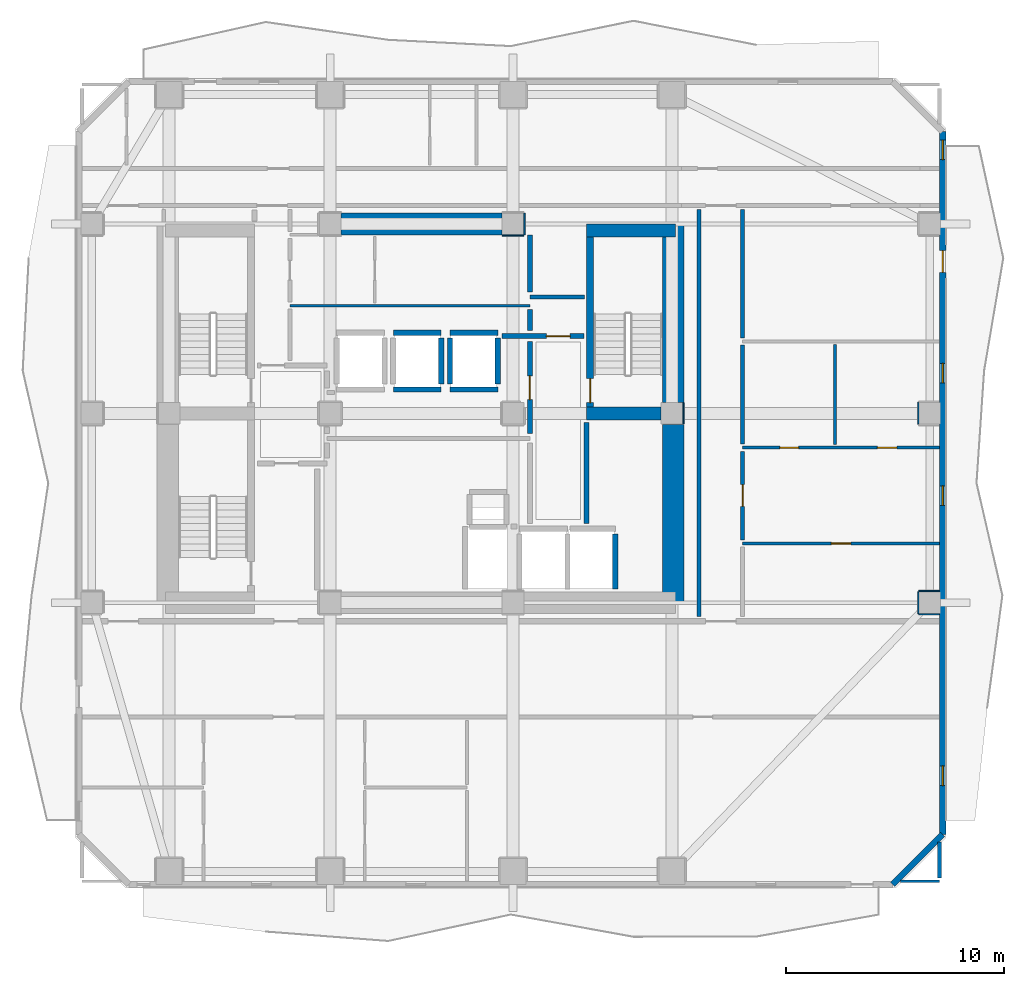
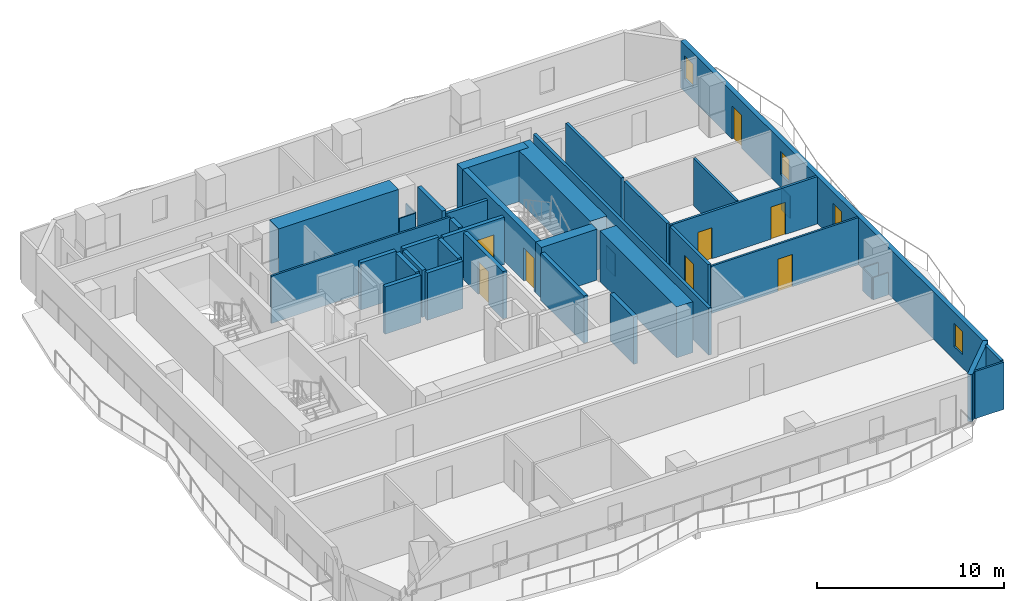
# One storey, part 4 of 9: 39 walls, 8 doors, 4 windows, 12 openings.
"""IFC4 building model written with IfcOpenShell, lengths in metres."""

import ifcopenshell
import ifcopenshell.guid

model = None  # the IFC model being written
_history = None  # IfcOwnerHistory: only IFC2X3 demands one
_inside = {}  # id of a spatial element -> (the spatial element, [elements in it])
_under = {}  # id of a project, library or spatial element -> (it, [spatial elements below it])
_declared = {}  # id of a project -> (the project, [libraries it declares])
_typed = {}  # id of a type object -> (the type object, [elements of that type])
_made_of = {}  # id of a material, layer set ... -> (it, [elements and type objects made of it])


def new_model(schema):
    """Start an empty IFC model of exactly this schema.

    Asked for "IFC4X3", IfcOpenShell would pick the latest addendum, in which some entities
    have other attributes; the version numbers below select the first issue.
    IFC2X3 requires an IfcOwnerHistory on every rooted entity: one is made here for all.
    """
    global model, _history
    if schema == "IFC4X3":
        model = ifcopenshell.file(schema_version=(4, 3, 0, 0))
    else:
        model = ifcopenshell.file(schema=schema)
    _inside.clear()
    _under.clear()
    _declared.clear()
    _typed.clear()
    _made_of.clear()
    _history = None
    if model.schema == "IFC2X3":
        org = make("IfcOrganization", Name="unknown")
        user = make(
            "IfcPersonAndOrganization",
            ThePerson=make("IfcPerson", FamilyName="unknown"),
            TheOrganization=org,
        )
        app = make(
            "IfcApplication",
            ApplicationDeveloper=org,
            Version="unknown",
            ApplicationFullName="unknown",
            ApplicationIdentifier="unknown",
        )
        _history = make(
            "IfcOwnerHistory",
            OwningUser=user,
            OwningApplication=app,
            ChangeAction="ADDED",
            CreationDate=0,
        )
    return model


def make(cls, **values):
    """One entity of the class cls with the attributes given. An attribute that is None is left unset."""
    return model.create_entity(
        cls, **{name: value for name, value in values.items() if value is not None}
    )


def rooted(cls, **values):
    """An entity with a GlobalId (a new one), such as an element, a storey or a relation."""
    return make(cls, GlobalId=ifcopenshell.guid.new(), OwnerHistory=_history, **values)


def si_unit(unit_type, name, prefix=None):
    """IfcSIUnit, for example si_unit("LENGTHUNIT", "METRE", prefix="MILLI")."""
    return make("IfcSIUnit", UnitType=unit_type, Prefix=prefix, Name=name)


def assignment(units):
    """IfcUnitAssignment: the units of a project."""
    return None if units is None else make("IfcUnitAssignment", Units=units)


def point(xyz):
    """IfcCartesianPoint."""
    return None if xyz is None else make("IfcCartesianPoint", Coordinates=xyz)


def direction(xyz):
    """IfcDirection."""
    return None if xyz is None else make("IfcDirection", DirectionRatios=xyz)


def frame(location, z_axis=None, x_axis=None):
    """IfcAxis2Placement3D, a coordinate frame: its origin and axes. An axis left out is left unset."""
    return make(
        "IfcAxis2Placement3D",
        Location=point(location),
        Axis=direction(z_axis),
        RefDirection=direction(x_axis),
    )


def frame_2d(location, x_axis=None):
    """IfcAxis2Placement2D, a coordinate frame in the plane: its origin and x axis."""
    return make(
        "IfcAxis2Placement2D", Location=point(location), RefDirection=direction(x_axis)
    )


def origin():
    """The frame at (0, 0, 0) with its axes left unset."""
    return frame((0.0, 0.0, 0.0))


def place(relative_to, where):
    """IfcLocalPlacement: puts the frame where relative to a parent placement (None: the world)."""
    return make(
        "IfcLocalPlacement", PlacementRelTo=relative_to, RelativePlacement=where
    )


def context(
    kind, dimensions, precision=None, world=None, true_north=None, identifier=None
):
    """IfcGeometricRepresentationContext, for example the 3D "Model" context."""
    return make(
        "IfcGeometricRepresentationContext",
        ContextIdentifier=identifier,
        ContextType=kind,
        CoordinateSpaceDimension=dimensions,
        Precision=precision,
        WorldCoordinateSystem=world,
        TrueNorth=true_north,
    )


def subcontext(parent, identifier, kind, view, scale=None):
    """IfcGeometricRepresentationSubContext, for example "Body" below "Model"."""
    return make(
        "IfcGeometricRepresentationSubContext",
        ContextIdentifier=identifier,
        ContextType=kind,
        ParentContext=parent,
        TargetScale=scale,
        TargetView=view,
    )


def project(units=None, contexts=None):
    """IfcProject with its units and contexts."""
    return rooted(
        "IfcProject",
        Name="project",
        RepresentationContexts=contexts,
        UnitsInContext=assignment(units),
    )


def spatial(cls, under=None, at=None, **own):
    """A site, building, storey or space (cls), placed at a placement, below another one or the project."""
    s = rooted(cls, ObjectPlacement=at, **own)
    if under is not None:
        _under.setdefault(under.id(), (under, []))[1].append(s)
    return s


def profile(cls, at=None, kind="AREA", **sizes):
    """A parametric profile (cls). Its sizes go by their IFC names, for example OverallWidth=200.0."""
    return make(cls, ProfileType=kind, Position=at, **sizes)


def rectangle(**sizes):
    """IfcRectangleProfileDef."""
    return profile("IfcRectangleProfileDef", **sizes)


def extrude(swept, where, along, depth):
    """IfcExtrudedAreaSolid: the profile swept, set in the frame where, extruded along a direction by depth."""
    return make(
        "IfcExtrudedAreaSolid",
        SweptArea=swept,
        Position=where,
        ExtrudedDirection=direction(along),
        Depth=depth,
    )


def shape(context_of_items, identifier, shape_type, items):
    """IfcShapeRepresentation: the items that make up one representation, for example the "Body"."""
    return make(
        "IfcShapeRepresentation",
        ContextOfItems=context_of_items,
        RepresentationIdentifier=identifier,
        RepresentationType=shape_type,
        Items=items,
    )


def material(Name=None, Category=None):
    """IfcMaterial."""
    return make("IfcMaterial", Name=Name, Category=Category)


def layer(
    of_material, thickness, ventilated=None, Name=None, Category=None, Priority=None
):
    """IfcMaterialLayer: one layer of a wall or slab, of a material (None: an air gap)."""
    return make(
        "IfcMaterialLayer",
        Material=of_material,
        LayerThickness=thickness,
        IsVentilated=ventilated,
        Name=Name,
        Category=Category,
        Priority=Priority,
    )


def layer_set(layers, Name=None):
    """IfcMaterialLayerSet."""
    return make("IfcMaterialLayerSet", MaterialLayers=layers, LayerSetName=Name)


def made_of(thing, what):
    """Note that an element or type object is made of a material, layer set ...; save() writes the relation."""
    if what is not None:
        _made_of.setdefault(what.id(), (what, []))[1].append(thing)
    return thing


def type_object(cls, material=None, **own):
    """A type object (cls), such as IfcWallType, which elements share."""
    return made_of(rooted(cls, **own), material)


def element(
    cls,
    number,
    at=None,
    inside=None,
    cuts=None,
    type_object=None,
    material=None,
    context=None,
    identifier="Body",
    shape_type=None,
    held_by="IfcProductDefinitionShape",
    body=None,
    shapes=None,
    **own,
):
    """One element of the class cls, such as IfcWall. Its Tag is "e" and its number.

    at: its placement. inside: the storey or other place that contains it. cuts: it is an
    opening in that element (IfcRelVoidsElement). A single representation is given by context,
    identifier, shape_type and body (its items); several are given by shapes. held_by: the class
    of the entity that holds the representations. save() writes the other relations.
    """
    e = rooted(cls, Tag="e%d" % number, ObjectPlacement=at, **own)
    if body is not None:
        shapes = [shape(context, identifier, shape_type, body)]
    if shapes is not None:
        e.Representation = make(held_by, Representations=shapes)
    if inside is not None:
        _inside.setdefault(inside.id(), (inside, []))[1].append(e)
    if cuts is not None:
        rooted(
            "IfcRelVoidsElement", RelatingBuildingElement=cuts, RelatedOpeningElement=e
        )
    if type_object is not None:
        _typed.setdefault(type_object.id(), (type_object, []))[1].append(e)
    return made_of(e, material)


def fill(opening, filler):
    """IfcRelFillsElement: the door or window that sits in an opening."""
    return rooted(
        "IfcRelFillsElement",
        RelatingOpeningElement=opening,
        RelatedBuildingElement=filler,
    )


def aggregate(whole, parts):
    """IfcRelAggregates: a whole, such as a stair, and the parts it consists of."""
    return rooted("IfcRelAggregates", RelatingObject=whole, RelatedObjects=parts)


def save(model, path):
    """Write the relations noted so far, then the file.

    IfcRelAggregates (storeys below a building ...), IfcRelContainedInSpatialStructure (elements
    in a storey), IfcRelDefinesByType, IfcRelAssociatesMaterial and IfcRelDeclares: one each for
    every whole, place, type object, material and project.
    """
    for whole, parts in _under.values():
        aggregate(whole, parts)
    for where, things in _inside.values():
        rooted(
            "IfcRelContainedInSpatialStructure",
            RelatedElements=things,
            RelatingStructure=where,
        )
    for kind, things in _typed.values():
        rooted("IfcRelDefinesByType", RelatedObjects=things, RelatingType=kind)
    for what, things in _made_of.values():
        rooted("IfcRelAssociatesMaterial", RelatedObjects=things, RelatingMaterial=what)
    for by, libraries in _declared.values():
        rooted("IfcRelDeclares", RelatingContext=by, RelatedDefinitions=libraries)
    model.write(path)


model = new_model("IFC4")

# Units and contexts
model_context = context("Model", 3, precision=1e-05, world=origin(), true_north=direction((0.0, 1.0)))
body_context = subcontext(model_context, "Body", "Model", "MODEL_VIEW")
ifc_project = project(units=[si_unit("LENGTHUNIT", "METRE"), si_unit("AREAUNIT", "SQUARE_METRE"), si_unit("VOLUMEUNIT", "CUBIC_METRE"), si_unit("PLANEANGLEUNIT", "RADIAN"), si_unit("MASSUNIT", "GRAM", prefix="KILO")], contexts=[model_context])

# Site, building, storey
site_placement = place(None, origin())
site = spatial("IfcSite", under=ifc_project, at=site_placement, CompositionType="ELEMENT")
building_placement = place(site_placement, origin())
building = spatial("IfcBuilding", under=site, at=building_placement, Name="Solanera Arch Residences", CompositionType="ELEMENT")
storey_placement = place(building_placement, frame((0.0, 0.0, 139.280029296875)))
storey = spatial("IfcBuildingStorey", under=building, at=storey_placement, Name="L40", CompositionType="ELEMENT", Elevation=139.280029296875)

# Walls
ifc_material_1 = material(Name="Fire-Rated Gypsum Stud Partition", Category="gypsum")
ifc_layer_1 = layer(ifc_material_1, 0.06005859375)
ifc_layer_set_1 = layer_set([ifc_layer_1], Name="Fire-Rated Gypsum Stud Partition")
wall_type_1 = type_object("IfcWallType", Name="Column Acoustic Furring Wall 60", PredefinedType="PARTITIONING", material=ifc_layer_set_1)
for number, where, z_axis, x_axis, name in (
    (1, (28.699951171875, 38.867919921875, 0.0), (0.0, 0.0, 1.0), (1.0, 0.0, 0.0), "L40 Column Furring 4S"),
    (2, (29.73193359375, 38.89990234375, 0.0), (0.0, 0.0, 1.0), (0.0, 1.0, 0.0), "L40 Column Furring 4E"),
):
    element("IfcWall", number, at=place(storey_placement, frame(where, z_axis=z_axis, x_axis=x_axis)), inside=storey, type_object=wall_type_1, Name=name, PredefinedType="PARTITIONING", context=body_context, shape_type="SweptSolid", body=[
        extrude(rectangle(XDim=1.0, YDim=0.06005859375, at=frame_2d((0.5, 0.0))), origin(), (0.0, 0.0, 1.0), 1.449951171875),
    ])
wall_1_placement = place(storey_placement, frame((37.031982421875, 30.2099609375, 0.0), z_axis=(0.0, 0.0, 1.0), x_axis=(0.0, 1.0, 0.0)))
element("IfcWall", 3, at=wall_1_placement, inside=storey, type_object=wall_type_1, Name="L40 Column Furring 6E", PredefinedType="PARTITIONING", context=body_context, shape_type="SweptSolid", body=[
    extrude(rectangle(XDim=0.97998046875, YDim=0.06005859375, at=frame_2d((0.489990234375, 0.0))), origin(), (0.0, 0.0, 1.0), 1.449951171875),
])
for number, where, z_axis, x_axis, name in (
    (4, (47.85009765625, 21.468017578125, 0.0), (0.0, 0.0, 1.0), (1.0, 0.0, 0.0), "L40 Column Furring 18S"),
    (5, (47.85009765625, 22.531982421875, 0.0), (0.0, 0.0, 1.0), (1.0, 0.0, 0.0), "L40 Column Furring 18N"),
):
    element("IfcWall", number, at=place(storey_placement, frame(where, z_axis=z_axis, x_axis=x_axis)), inside=storey, type_object=wall_type_1, Name=name, PredefinedType="PARTITIONING", context=body_context, shape_type="SweptSolid", body=[
        extrude(rectangle(XDim=0.93994140625, YDim=0.06005859375, at=frame_2d((0.469970703125, 0.0))), origin(), (0.0, 0.0, 1.0), 1.449951171875),
    ])
for number, where, z_axis, x_axis, name in (
    (6, (47.818115234375, 21.5, 0.0), (0.0, 0.0, 1.0), (0.0, 1.0, 0.0), "L40 Column Furring 18W"),
    (7, (47.818115234375, 30.199951171875, 0.0), (0.0, 0.0, 1.0), (0.0, 1.0, 0.0), "L40 Column Furring 20W"),
):
    element("IfcWall", number, at=place(storey_placement, frame(where, z_axis=z_axis, x_axis=x_axis)), inside=storey, type_object=wall_type_1, Name=name, PredefinedType="PARTITIONING", context=body_context, shape_type="SweptSolid", body=[
        extrude(rectangle(XDim=1.0, YDim=0.06005859375, at=frame_2d((0.5, 0.0))), origin(), (0.0, 0.0, 1.0), 1.449951171875),
    ])
ifc_material_2 = material(Name="Concrete C55/67 (f'c = 60 MPa)", Category="concrete")
ifc_layer_2 = layer(ifc_material_2, 1.0)
ifc_layer_set_2 = layer_set([ifc_layer_2], Name="Concrete C55/67 (f'c = 60 MPa)")
wall_type_2 = type_object("IfcWallType", Name="Core Shear Wall CW-1000", PredefinedType="SHEAR", material=ifc_layer_set_2)
wall_2_placement = place(storey_placement, frame((36.56005859375, 22.0, 0.0), z_axis=(0.0, 0.0, 1.0), x_axis=(0.0, 1.0, 0.0)))
element("IfcWall", 8, at=wall_2_placement, inside=storey, type_object=wall_type_2, Name="L40 East Core South Shear Wall", PredefinedType="SHEAR", context=body_context, shape_type="SweptSolid", body=[
    extrude(rectangle(XDim=8.195068359375, YDim=1.0, at=frame_2d((4.09765625, 0.0))), origin(), (0.0, 0.0, 1.0), 3.320068359375),
])
wall_3_placement = place(storey_placement, frame((36.56005859375, 31.205078125, 0.0), z_axis=(0.0, 0.0, 1.0), x_axis=(0.0, 1.0, 0.0)))
element("IfcWall", 9, at=wall_3_placement, inside=storey, type_object=wall_type_2, Name="L40 East Core North Shear Wall", PredefinedType="SHEAR", context=body_context, shape_type="SweptSolid", body=[
    extrude(rectangle(XDim=8.19482421875, YDim=1.0, at=frame_2d((4.097412109375, 0.0))), origin(), (0.0, 0.0, 1.0), 3.320068359375),
])
wall_4_placement = place(storey_placement, frame((21.304931640625, 39.39990234375, 0.0), z_axis=(0.0, 0.0, 1.0), x_axis=(1.0, 0.0, 0.0)))
element("IfcWall", 10, at=wall_4_placement, inside=storey, type_object=wall_type_2, Name="L40 Central North Core Shear Wall", PredefinedType="SHEAR", context=body_context, shape_type="SweptSolid", body=[
    extrude(rectangle(XDim=7.39013671875, YDim=1.0, at=frame_2d((3.695068359375, 0.0))), origin(), (0.0, 0.0, 1.0), 3.320068359375),
])

# Wall, opening, door
ifc_material_3 = material(Name="Concrete C40/50 (f'c = 45 MPa)", Category="concrete")
ifc_layer_3 = layer(ifc_material_3, 0.320068359375)
ifc_layer_set_3 = layer_set([ifc_layer_3], Name="Concrete C40/50 (f'c = 45 MPa)")
wall_type_3 = type_object("IfcWallType", Name="Core Shear Wall CW-320", PredefinedType="SHEAR", material=ifc_layer_set_3)
wall_5_placement = place(storey_placement, frame((32.739990234375, 31.0, 0.0), z_axis=(0.0, 0.0, 1.0), x_axis=(0.0, 1.0, 0.0)))
wall_5 = element("IfcWall", 11, at=wall_5_placement, inside=storey, type_object=wall_type_3, Name="L40 Stair ST-T2 West Shear Wall", PredefinedType="SHEAR", context=body_context, shape_type="SweptSolid", body=[
    extrude(rectangle(XDim=7.800048828125, YDim=0.320068359375, at=frame_2d((3.89990234375, 0.0))), origin(), (0.0, 0.0, 1.0), 3.320068359375),
])
opening_1_placement = place(wall_5_placement, frame((0.18994140625, 0.0, 0.0)))
opening_1 = element("IfcOpeningElement", 12, at=opening_1_placement, cuts=wall_5, Name="Opening DF-01", PredefinedType="OPENING", context=body_context, shape_type="SweptSolid", body=[
    extrude(rectangle(XDim=1.10009765625, YDim=2.14990234375, at=frame_2d((0.550048828125, 1.074951171875))), frame((0.0, 0.169921875, 0.0), z_axis=(0.0, -1.0, 0.0), x_axis=(1.0, 0.0, 0.0)), (0.0, 0.0, 1.0), 0.3401),
])
ifc_material_4 = material(Name="Fire-Rated Architectural Hardwood", Category="wood")
door_type_1 = type_object("IfcDoorType", Name="Stair Exit Fire Door DF-01", OperationType="NOTDEFINED", PredefinedType="DOOR", material=ifc_material_4)
door_1_placement = place(opening_1_placement, origin())
door_1 = element("IfcDoor", 13, at=door_1_placement, inside=storey, type_object=door_type_1, Name="DR-L40-STAIR-ST-T2", OperationType="SINGLE_SWING_LEFT", OverallHeight=2.14990234375, OverallWidth=1.10009765625, PredefinedType="DOOR", context=body_context, shape_type="SweptSolid", body=[
    extrude(rectangle(XDim=1.10009765625, YDim=2.14990234375, at=frame_2d((0.550048828125, 1.074951171875))), frame((0.0, 0.02490234375, 0.0), z_axis=(0.0, -1.0, 0.0), x_axis=(1.0, 0.0, 0.0)), (0.0, 0.0, 1.0), 0.050048828125),
])
fill(opening_1, door_1)

# Walls
ifc_material_5 = material(Name="Concrete C40/50 (f'c = 45 MPa)", Category="concrete")
ifc_layer_4 = layer(ifc_material_5, 0.60009765625)
ifc_layer_set_4 = layer_set([ifc_layer_4], Name="Concrete C40/50 (f'c = 45 MPa)")
wall_type_4 = type_object("IfcWallType", Name="Core Shear Wall CW-600", PredefinedType="SHEAR", material=ifc_layer_set_4)
wall_6_placement = place(storey_placement, frame((32.580078125, 39.10009765625, 0.0), z_axis=(0.0, 0.0, 1.0), x_axis=(1.0, 0.0, 0.0)))
element("IfcWall", 14, at=wall_6_placement, inside=storey, type_object=wall_type_4, Name="L40 North-East Core Shear Wall", PredefinedType="SHEAR", context=body_context, shape_type="SweptSolid", body=[
    extrude(rectangle(XDim=4.079833984375, YDim=0.60009765625, at=frame_2d((2.0400390625, 0.0))), origin(), (0.0, 0.0, 1.0), 3.320068359375),
])
wall_7_placement = place(storey_placement, frame((32.580078125, 30.699951171875, 0.0), z_axis=(0.0, 0.0, 1.0), x_axis=(1.0, 0.0, 0.0)))
element("IfcWall", 15, at=wall_7_placement, inside=storey, type_object=wall_type_4, Name="L40 East Stair Far-Landing Shear Wall", PredefinedType="SHEAR", context=body_context, shape_type="SweptSolid", body=[
    extrude(rectangle(XDim=3.4150390625, YDim=0.60009765625, at=frame_2d((1.70751953125, 0.0))), origin(), (0.0, 0.0, 1.0), 3.320068359375),
])
ifc_material_6 = material(Name="Autoclaved Aerated Concrete Blockwork", Category="masonry")
ifc_layer_5 = layer(ifc_material_6, 0.179931640625)
ifc_layer_set_5 = layer_set([ifc_layer_5], Name="Autoclaved Aerated Concrete Blockwork")
wall_type_5 = type_object("IfcWallType", Name="Corridor Fire Partition 180", PredefinedType="PARTITIONING", material=ifc_layer_set_5)
wall_8_placement = place(storey_placement, frame((29.97509765625, 36.050048828125, 0.0), z_axis=(0.0, 0.0, 1.0), x_axis=(1.0, 0.0, 0.0)))
element("IfcWall", 16, at=wall_8_placement, inside=storey, type_object=wall_type_5, Name="L40 Interior Partition H9", PredefinedType="PARTITIONING", context=body_context, shape_type="SweptSolid", body=[
    extrude(rectangle(XDim=2.5048828125, YDim=0.179931640625, at=frame_2d((1.25244140625, 0.0))), origin(), (0.0, 0.0, 1.0), 3.080078125),
])
wall_9_placement = place(storey_placement, frame((37.75, 21.367919921875, 0.0), z_axis=(0.0, 0.0, 1.0), x_axis=(0.0, 1.0, 0.0)))
element("IfcWall", 17, at=wall_9_placement, inside=storey, type_object=wall_type_5, Name="L40 Interior Partition V10", PredefinedType="PARTITIONING", context=body_context, shape_type="SweptSolid", body=[
    extrude(rectangle(XDim=18.694091796875, YDim=0.179931640625, at=frame_2d((9.34716796875, 0.0))), origin(), (0.0, 0.0, 1.0), 3.080078125),
])

# Wall, opening, door
wall_10_placement = place(storey_placement, frame((39.75, 24.876953125, 0.0), z_axis=(0.0, 0.0, 1.0), x_axis=(0.0, 1.0, 0.0)))
wall_10 = element("IfcWall", 18, at=wall_10_placement, inside=storey, type_object=wall_type_5, Name="L40 Interior Partition V11 2", PredefinedType="PARTITIONING", context=body_context, shape_type="SweptSolid", body=[
    extrude(rectangle(XDim=4.074951171875, YDim=0.179931640625, at=frame_2d((2.03759765625, 0.0))), origin(), (0.0, 0.0, 1.0), 3.080078125),
])
opening_2_placement = place(wall_10_placement, frame((1.54296875, 0.0, 0.0)))
opening_2 = element("IfcOpeningElement", 19, at=opening_2_placement, cuts=wall_10, Name="Opening DI-01", PredefinedType="OPENING", context=body_context, shape_type="SweptSolid", body=[
    extrude(rectangle(XDim=1.0, YDim=2.14990234375, at=frame_2d((0.5, 1.074951171875))), frame((0.0, 0.10009765625, 0.0), z_axis=(0.0, -1.0, 0.0), x_axis=(1.0, 0.0, 0.0)), (0.0, 0.0, 1.0), 0.1999),
])
ifc_material_7 = material(Name="Fire-Rated Architectural Hardwood", Category="wood")
door_type_2 = type_object("IfcDoorType", Name="Unit Entrance Fire Door DI-01", OperationType="NOTDEFINED", PredefinedType="DOOR", material=ifc_material_7)
door_2_placement = place(opening_2_placement, origin())
door_2 = element("IfcDoor", 20, at=door_2_placement, inside=storey, type_object=door_type_2, Name="DR-L40-IN-026", OperationType="SINGLE_SWING_LEFT", OverallHeight=2.14990234375, OverallWidth=1.0, PredefinedType="DOOR", context=body_context, shape_type="SweptSolid", body=[
    extrude(rectangle(XDim=1.0, YDim=2.14990234375, at=frame_2d((0.5, 1.074951171875))), frame((0.0, 0.02490234375, 0.0), z_axis=(0.0, -1.0, 0.0), x_axis=(1.0, 0.0, 0.0)), (0.0, 0.0, 1.0), 0.050048828125),
])
fill(opening_2, door_2)

# Walls
wall_11_placement = place(storey_placement, frame((39.75, 29.2880859375, 0.0), z_axis=(0.0, 0.0, 1.0), x_axis=(0.0, 1.0, 0.0)))
element("IfcWall", 21, at=wall_11_placement, inside=storey, type_object=wall_type_5, Name="L40 Interior Partition V11 3", PredefinedType="PARTITIONING", context=body_context, shape_type="SweptSolid", body=[
    extrude(rectangle(XDim=4.5439453125, YDim=0.179931640625, at=frame_2d((2.27197265625, 0.0))), origin(), (0.0, 0.0, 1.0), 3.080078125),
])
wall_12_placement = place(storey_placement, frame((39.75, 34.16796875, 0.0), z_axis=(0.0, 0.0, 1.0), x_axis=(0.0, 1.0, 0.0)))
element("IfcWall", 22, at=wall_12_placement, inside=storey, type_object=wall_type_5, Name="L40 Interior Partition V11 4", PredefinedType="PARTITIONING", context=body_context, shape_type="SweptSolid", body=[
    extrude(rectangle(XDim=5.89404296875, YDim=0.179931640625, at=frame_2d((2.947021484375, 0.0))), origin(), (0.0, 0.0, 1.0), 3.080078125),
])
wall_13_placement = place(storey_placement, frame((48.800048828125, 9.35791015625, 0.0), z_axis=(0.0, 0.0, 1.0), x_axis=(0.0, 1.0, 0.0)))
element("IfcWall", 23, at=wall_13_placement, inside=storey, type_object=wall_type_5, Name="L40 Interior Partition V12 1", PredefinedType="PARTITIONING", context=body_context, shape_type="SweptSolid", body=[
    extrude(rectangle(XDim=1.63720703125, YDim=0.179931640625, at=frame_2d((0.818603515625, 0.0))), origin(), (0.0, 0.0, 1.0), 3.080078125),
])

# Wall, openings, door, windows
ifc_material_8 = material(Name="Precast Concrete C35/45", Category="concrete")
ifc_layer_6 = layer(ifc_material_8, 0.280029296875)
ifc_layer_set_6 = layer_set([ifc_layer_6], Name="Precast Concrete C35/45")
wall_type_6 = type_object("IfcWallType", Name="Exterior Wall Precast Masonry-Frame 280", PredefinedType="STANDARD", material=ifc_layer_set_6)
wall_14_placement = place(storey_placement, frame((48.945068359375, 43.64501953125, 0.0), z_axis=(0.0, 0.0, 1.0), x_axis=(0.0, -1.0, 0.0)))
wall_14 = element("IfcWall", 24, at=wall_14_placement, inside=storey, type_object=wall_type_6, Name="L40 Tower Exterior Precast Masonry-Frame Wall E", PredefinedType="STANDARD", context=body_context, shape_type="SweptSolid", body=[
    extrude(rectangle(XDim=32.2900390625, YDim=0.280029296875, at=frame_2d((16.14501953125, 0.0))), origin(), (0.0, 0.0, 1.0), 3.080078125),
])
opening_3_placement = place(wall_14_placement, frame((5.467041015625, 0.0, 0.0)))
opening_3 = element("IfcOpeningElement", 25, at=opening_3_placement, cuts=wall_14, Name="Opening DB-01", PredefinedType="OPENING", context=body_context, shape_type="SweptSolid", body=[
    extrude(rectangle(XDim=1.0, YDim=2.14990234375, at=frame_2d((0.5, 1.074951171875))), frame((0.0, 0.14990234375, 0.0), z_axis=(0.0, -1.0, 0.0), x_axis=(1.0, 0.0, 0.0)), (0.0, 0.0, 1.0), 0.3),
])
opening_4_placement = place(wall_14_placement, frame((29.14794921875, 0.0, 0.85009765625)))
opening_4 = element("IfcOpeningElement", 26, at=opening_4_placement, cuts=wall_14, Name="Opening W-06", PredefinedType="OPENING", context=body_context, shape_type="SweptSolid", body=[
    extrude(rectangle(XDim=0.89990234375, YDim=1.5, at=frame_2d((0.449951171875, 0.75))), frame((0.0, 0.14990234375, 0.0), z_axis=(0.0, -1.0, 0.0), x_axis=(1.0, 0.0, 0.0)), (0.0, 0.0, 1.0), 0.3),
])
opening_5_placement = place(wall_14_placement, frame((0.39306640625, 0.0, 0.85009765625)))
opening_5 = element("IfcOpeningElement", 27, at=opening_5_placement, cuts=wall_14, Name="Opening W-06", PredefinedType="OPENING", context=body_context, shape_type="SweptSolid", body=[
    extrude(rectangle(XDim=0.89990234375, YDim=1.5, at=frame_2d((0.449951171875, 0.75))), frame((0.0, 0.14990234375, 0.0), z_axis=(0.0, -1.0, 0.0), x_axis=(1.0, 0.0, 0.0)), (0.0, 0.0, 1.0), 0.3),
])
opening_6_placement = place(wall_14_placement, frame((16.27587890625, 0.0, 0.85009765625)))
opening_6 = element("IfcOpeningElement", 28, at=opening_6_placement, cuts=wall_14, Name="Opening W-06", PredefinedType="OPENING", context=body_context, shape_type="SweptSolid", body=[
    extrude(rectangle(XDim=0.89990234375, YDim=1.5, at=frame_2d((0.449951171875, 0.75))), frame((0.0, 0.14990234375, 0.0), z_axis=(0.0, -1.0, 0.0), x_axis=(1.0, 0.0, 0.0)), (0.0, 0.0, 1.0), 0.3),
])
opening_7_placement = place(wall_14_placement, frame((10.64501953125, 0.0, 0.85009765625)))
opening_7 = element("IfcOpeningElement", 29, at=opening_7_placement, cuts=wall_14, Name="Opening W-06", PredefinedType="OPENING", context=body_context, shape_type="SweptSolid", body=[
    extrude(rectangle(XDim=0.89990234375, YDim=1.5, at=frame_2d((0.449951171875, 0.75))), frame((0.0, 0.14990234375, 0.0), z_axis=(0.0, -1.0, 0.0), x_axis=(1.0, 0.0, 0.0)), (0.0, 0.0, 1.0), 0.3),
])
ifc_material_9 = material(Name="Anodised Aluminium Alloy 6063-T6", Category="aluminium")
door_type_3 = type_object("IfcDoorType", Name="Glazed Balcony Swing Door DB-01", OperationType="NOTDEFINED", PredefinedType="DOOR", material=ifc_material_9)
door_3_placement = place(opening_3_placement, origin())
door_3 = element("IfcDoor", 30, at=door_3_placement, inside=storey, type_object=door_type_3, Name="DR-L40-OUT-03", OperationType="SINGLE_SWING_RIGHT", OverallHeight=2.14990234375, OverallWidth=1.0, PredefinedType="DOOR", context=body_context, shape_type="SweptSolid", body=[
    extrude(rectangle(XDim=1.0, YDim=2.14990234375, at=frame_2d((0.5, 1.074951171875))), frame((0.0, 0.02490234375, 0.0), z_axis=(0.0, -1.0, 0.0), x_axis=(1.0, 0.0, 0.0)), (0.0, 0.0, 1.0), 0.050048828125),
])
fill(opening_3, door_3)
ifc_material_10 = material(Name="Double Glazed Low-E Laminated Glass", Category="glass")
window_type = type_object("IfcWindowType", Name="Punched Window W-06", PartitioningType="SINGLE_PANEL", PredefinedType="WINDOW", material=ifc_material_10)
window_1_placement = place(opening_4_placement, origin())
window_1 = element("IfcWindow", 31, at=window_1_placement, inside=storey, type_object=window_type, Name="L40 AMN-LNG Punched Window", OverallHeight=1.5, OverallWidth=0.89990234375, PartitioningType="SINGLE_PANEL", PredefinedType="WINDOW", context=body_context, shape_type="SweptSolid", body=[
    extrude(rectangle(XDim=0.89990234375, YDim=1.5, at=frame_2d((0.449951171875, 0.75))), frame((0.0, 0.030029296875, 0.0), z_axis=(0.0, -1.0, 0.0), x_axis=(1.0, 0.0, 0.0)), (0.0, 0.0, 1.0), 0.06005859375),
])
fill(opening_4, window_1)
window_2_placement = place(opening_5_placement, origin())
window_2 = element("IfcWindow", 32, at=window_2_placement, inside=storey, type_object=window_type, Name="L40 AMN-MTG1 Punched Window", OverallHeight=1.5, OverallWidth=0.89990234375, PartitioningType="SINGLE_PANEL", PredefinedType="WINDOW", context=body_context, shape_type="SweptSolid", body=[
    extrude(rectangle(XDim=0.89990234375, YDim=1.5, at=frame_2d((0.449951171875, 0.75))), frame((0.0, 0.030029296875, 0.0), z_axis=(0.0, -1.0, 0.0), x_axis=(1.0, 0.0, 0.0)), (0.0, 0.0, 1.0), 0.06005859375),
])
fill(opening_5, window_2)
window_3_placement = place(opening_6_placement, origin())
window_3 = element("IfcWindow", 33, at=window_3_placement, inside=storey, type_object=window_type, Name="L40 4003-LIV Punched Window", OverallHeight=1.5, OverallWidth=0.89990234375, PartitioningType="SINGLE_PANEL", PredefinedType="WINDOW", context=body_context, shape_type="SweptSolid", body=[
    extrude(rectangle(XDim=0.89990234375, YDim=1.5, at=frame_2d((0.449951171875, 0.75))), frame((0.0, 0.030029296875, 0.0), z_axis=(0.0, -1.0, 0.0), x_axis=(1.0, 0.0, 0.0)), (0.0, 0.0, 1.0), 0.06005859375),
])
fill(opening_6, window_3)
window_4_placement = place(opening_7_placement, origin())
window_4 = element("IfcWindow", 34, at=window_4_placement, inside=storey, type_object=window_type, Name="L40 4003-BR1 Punched Window", OverallHeight=1.5, OverallWidth=0.89990234375, PartitioningType="SINGLE_PANEL", PredefinedType="WINDOW", context=body_context, shape_type="SweptSolid", body=[
    extrude(rectangle(XDim=0.89990234375, YDim=1.5, at=frame_2d((0.449951171875, 0.75))), frame((0.0, 0.030029296875, 0.0), z_axis=(0.0, -1.0, 0.0), x_axis=(1.0, 0.0, 0.0)), (0.0, 0.0, 1.0), 0.06005859375),
])
fill(opening_7, window_4)

# Walls
wall_15_placement = place(storey_placement, frame((48.945068359375, 11.35498046875, 0.0), z_axis=(0.0, 0.0, 1.0), x_axis=(-0.707106781187, -0.707106781187, 0.0)))
element("IfcWall", 35, at=wall_15_placement, inside=storey, type_object=wall_type_6, Name="L40 Tower Exterior Precast Masonry-Frame Wall CH5", PredefinedType="STANDARD", context=body_context, shape_type="SweptSolid", body=[
    extrude(rectangle(XDim=3.252685546875, YDim=0.280029296875, at=frame_2d((1.62646484375, 0.0))), origin(), (0.0, 0.0, 1.0), 3.080078125),
])
ifc_material_11 = material(Name="Autoclaved Aerated Concrete Blockwork", Category="masonry")
ifc_layer_7 = layer(ifc_material_11, 0.239990234375)
ifc_layer_set_7 = layer_set([ifc_layer_7], Name="Autoclaved Aerated Concrete Blockwork")
wall_type_7 = type_object("IfcWallType", Name="Shaft Wall Fire-Rated 240", PredefinedType="PARTITIONING", material=ifc_layer_set_7)
for number, where, z_axis, x_axis, name in (
    (36, (23.699951171875, 31.800048828125, 0.0), (0.0, 0.0, 1.0), (1.0, 0.0, 0.0), "L40 Lift PL-M2 Hoistway Wall S"),
    (37, (23.699951171875, 34.39990234375, 0.0), (0.0, 0.0, 1.0), (1.0, 0.0, 0.0), "L40 Lift PL-M2 Hoistway Wall N"),
):
    element("IfcWall", number, at=place(storey_placement, frame(where, z_axis=z_axis, x_axis=x_axis)), inside=storey, type_object=wall_type_7, Name=name, PredefinedType="PARTITIONING", context=body_context, shape_type="SweptSolid", body=[
        extrude(rectangle(XDim=2.199951171875, YDim=0.239990234375, at=frame_2d((1.10009765625, 0.0))), origin(), (0.0, 0.0, 1.0), 3.080078125),
    ])
wall_16_placement = place(storey_placement, frame((25.89990234375, 32.048095703125, 0.0), z_axis=(0.0, 0.0, 1.0), x_axis=(0.0, 1.0, 0.0)))
element("IfcWall", 38, at=wall_16_placement, inside=storey, type_object=wall_type_7, Name="L40 Lift PL-M2 Hoistway Wall E", PredefinedType="PARTITIONING", context=body_context, shape_type="SweptSolid", body=[
    extrude(rectangle(XDim=2.10400390625, YDim=0.239990234375, at=frame_2d((1.052001953125, 0.0))), origin(), (0.0, 0.0, 1.0), 3.080078125),
])
for number, where, z_axis, x_axis, name in (
    (39, (26.300048828125, 31.800048828125, 0.0), (0.0, 0.0, 1.0), (1.0, 0.0, 0.0), "L40 Lift PL-M3 Hoistway Wall S"),
    (40, (26.300048828125, 34.39990234375, 0.0), (0.0, 0.0, 1.0), (1.0, 0.0, 0.0), "L40 Lift PL-M3 Hoistway Wall N"),
):
    element("IfcWall", number, at=place(storey_placement, frame(where, z_axis=z_axis, x_axis=x_axis)), inside=storey, type_object=wall_type_7, Name=name, PredefinedType="PARTITIONING", context=body_context, shape_type="SweptSolid", body=[
        extrude(rectangle(XDim=2.199951171875, YDim=0.239990234375, at=frame_2d((1.10009765625, 0.0))), origin(), (0.0, 0.0, 1.0), 3.080078125),
    ])
for number, where, z_axis, x_axis, name in (
    (41, (26.300048828125, 32.048095703125, 0.0), (0.0, 0.0, 1.0), (0.0, 1.0, 0.0), "L40 Lift PL-M3 Hoistway Wall W"),
    (42, (28.5, 32.048095703125, 0.0), (0.0, 0.0, 1.0), (0.0, 1.0, 0.0), "L40 Lift PL-M3 Hoistway Wall E"),
):
    element("IfcWall", number, at=place(storey_placement, frame(where, z_axis=z_axis, x_axis=x_axis)), inside=storey, type_object=wall_type_7, Name=name, PredefinedType="PARTITIONING", context=body_context, shape_type="SweptSolid", body=[
        extrude(rectangle(XDim=2.10400390625, YDim=0.239990234375, at=frame_2d((1.052001953125, 0.0))), origin(), (0.0, 0.0, 1.0), 3.080078125),
    ])
wall_17_placement = place(storey_placement, frame((33.89990234375, 22.6298828125, 0.0), z_axis=(0.0, 0.0, 1.0), x_axis=(0.0, 1.0, 0.0)))
element("IfcWall", 43, at=wall_17_placement, inside=storey, type_object=wall_type_7, Name="L40 Lift FFL-2 Hoistway Wall E", PredefinedType="PARTITIONING", context=body_context, shape_type="SweptSolid", body=[
    extrude(rectangle(XDim=2.522216796875, YDim=0.239990234375, at=frame_2d((1.26123046875, 0.0))), origin(), (0.0, 0.0, 1.0), 3.080078125),
])

# Wall, opening, door
wall_18_placement = place(storey_placement, frame((28.701904296875, 34.25, 0.0), z_axis=(0.0, 0.0, 1.0), x_axis=(1.0, 0.0, 0.0)))
wall_18 = element("IfcWall", 44, at=wall_18_placement, inside=storey, type_object=wall_type_7, Name="L40 Interior Partition H5", PredefinedType="PARTITIONING", context=body_context, shape_type="SweptSolid", body=[
    extrude(rectangle(XDim=3.748046875, YDim=0.239990234375, at=frame_2d((1.8740234375, 0.0))), origin(), (0.0, 0.0, 1.0), 3.080078125),
])
opening_8_placement = place(wall_18_placement, frame((2.02490234375, 0.0, 0.0)))
opening_8 = element("IfcOpeningElement", 45, at=opening_8_placement, cuts=wall_18, Name="Opening DF-02", PredefinedType="OPENING", context=body_context, shape_type="SweptSolid", body=[
    extrude(rectangle(XDim=1.10009765625, YDim=2.14990234375, at=frame_2d((0.550048828125, 1.074951171875))), frame((0.0, 0.1298828125, 0.0), z_axis=(0.0, -1.0, 0.0), x_axis=(1.0, 0.0, 0.0)), (0.0, 0.0, 1.0), 0.26),
])
ifc_material_12 = material(Name="Fire-Rated Architectural Hardwood", Category="wood")
door_type_4 = type_object("IfcDoorType", Name="Firefighting Lobby Fire Door DF-02", OperationType="NOTDEFINED", PredefinedType="DOOR", material=ifc_material_12)
door_4_placement = place(opening_8_placement, origin())
door_4 = element("IfcDoor", 46, at=door_4_placement, inside=storey, type_object=door_type_4, Name="DR-L40-IN-007", OperationType="SINGLE_SWING_RIGHT", OverallHeight=2.14990234375, OverallWidth=1.10009765625, PredefinedType="DOOR", context=body_context, shape_type="SweptSolid", body=[
    extrude(rectangle(XDim=1.10009765625, YDim=2.14990234375, at=frame_2d((0.550048828125, 1.074951171875))), frame((0.0, 0.02490234375, 0.0), z_axis=(0.0, -1.0, 0.0), x_axis=(1.0, 0.0, 0.0)), (0.0, 0.0, 1.0), 0.050048828125),
])
fill(opening_8, door_4)

wall_19_placement = place(storey_placement, frame((29.97509765625, 29.76806640625, 0.0), z_axis=(0.0, 0.0, 1.0), x_axis=(0.0, 1.0, 0.0)))
wall_19 = element("IfcWall", 47, at=wall_19_placement, inside=storey, type_object=wall_type_7, Name="L40 Interior Partition V4 2", PredefinedType="PARTITIONING", context=body_context, shape_type="SweptSolid", body=[
    extrude(rectangle(XDim=4.23388671875, YDim=0.239990234375, at=frame_2d((2.116943359375, 0.0))), origin(), (0.0, 0.0, 1.0), 3.080078125),
])
opening_9_placement = place(wall_19_placement, frame((1.556884765625, 0.0, 0.0)))
opening_9 = element("IfcOpeningElement", 48, at=opening_9_placement, cuts=wall_19, Name="Opening DF-02", PredefinedType="OPENING", context=body_context, shape_type="SweptSolid", body=[
    extrude(rectangle(XDim=1.10009765625, YDim=2.14990234375, at=frame_2d((0.550048828125, 1.074951171875))), frame((0.0, 0.1298828125, 0.0), z_axis=(0.0, -1.0, 0.0), x_axis=(1.0, 0.0, 0.0)), (0.0, 0.0, 1.0), 0.26),
])
door_5_placement = place(opening_9_placement, origin())
door_5 = element("IfcDoor", 49, at=door_5_placement, inside=storey, type_object=door_type_4, Name="DR-L40-IN-006", OperationType="SINGLE_SWING_LEFT", OverallHeight=2.14990234375, OverallWidth=1.10009765625, PredefinedType="DOOR", context=body_context, shape_type="SweptSolid", body=[
    extrude(rectangle(XDim=1.10009765625, YDim=2.14990234375, at=frame_2d((0.550048828125, 1.074951171875))), frame((0.0, 0.02490234375, 0.0), z_axis=(0.0, -1.0, 0.0), x_axis=(1.0, 0.0, 0.0)), (0.0, 0.0, 1.0), 0.050048828125),
])
fill(opening_9, door_5)

# Walls
wall_20_placement = place(storey_placement, frame((29.97509765625, 34.498046875, 0.0), z_axis=(0.0, 0.0, 1.0), x_axis=(0.0, 1.0, 0.0)))
element("IfcWall", 50, at=wall_20_placement, inside=storey, type_object=wall_type_7, Name="L40 Interior Partition V4 3", PredefinedType="PARTITIONING", context=body_context, shape_type="SweptSolid", body=[
    extrude(rectangle(XDim=0.9638671875, YDim=0.239990234375, at=frame_2d((0.48193359375, 0.0))), origin(), (0.0, 0.0, 1.0), 3.080078125),
])
wall_21_placement = place(storey_placement, frame((29.97509765625, 36.26806640625, 0.0), z_axis=(0.0, 0.0, 1.0), x_axis=(0.0, 1.0, 0.0)))
element("IfcWall", 51, at=wall_21_placement, inside=storey, type_object=wall_type_7, Name="L40 Interior Partition V4 4", PredefinedType="PARTITIONING", context=body_context, shape_type="SweptSolid", body=[
    extrude(rectangle(XDim=2.6318359375, YDim=0.239990234375, at=frame_2d((1.31591796875, 0.0))), origin(), (0.0, 0.0, 1.0), 3.080078125),
])
wall_22_placement = place(storey_placement, frame((32.580078125, 25.64794921875, 0.0), z_axis=(0.0, 0.0, 1.0), x_axis=(0.0, 1.0, 0.0)))
element("IfcWall", 52, at=wall_22_placement, inside=storey, type_object=wall_type_7, Name="L40 Interior Partition V5", PredefinedType="PARTITIONING", context=body_context, shape_type="SweptSolid", body=[
    extrude(rectangle(XDim=4.6220703125, YDim=0.239990234375, at=frame_2d((2.31103515625, 0.0))), origin(), (0.0, 0.0, 1.0), 3.080078125),
])
ifc_material_13 = material(Name="Fire-Rated Gypsum Stud Partition", Category="gypsum")
ifc_layer_8 = layer(ifc_material_13, 0.1201171875)
ifc_layer_set_8 = layer_set([ifc_layer_8], Name="Fire-Rated Gypsum Stud Partition")
wall_type_8 = type_object("IfcWallType", Name="Unit Drywall Partition 120", PredefinedType="PARTITIONING", material=ifc_layer_set_8)
wall_23_placement = place(storey_placement, frame((47.0048828125, 9.199951171875, 0.0), z_axis=(0.0, 0.0, 1.0), x_axis=(1.0, 0.0, 0.0)))
element("IfcWall", 53, at=wall_23_placement, inside=storey, type_object=wall_type_8, Name="L40 Interior Partition H17 2", PredefinedType="PARTITIONING", context=body_context, shape_type="SweptSolid", body=[
    extrude(rectangle(XDim=1.795166015625, YDim=0.1201171875, at=frame_2d((0.8974609375, 0.0))), origin(), (0.0, 0.0, 1.0), 3.080078125),
])

# Wall, opening, door
wall_24_placement = place(storey_placement, frame((39.75, 24.718994140625, 0.0), z_axis=(0.0, 0.0, 1.0), x_axis=(1.0, 0.0, 0.0)))
wall_24 = element("IfcWall", 54, at=wall_24_placement, inside=storey, type_object=wall_type_8, Name="L40 Interior Partition H18", PredefinedType="PARTITIONING", context=body_context, shape_type="SweptSolid", body=[
    extrude(rectangle(XDim=9.04296875, YDim=0.1201171875, at=frame_2d((4.521484375, 0.0))), origin(), (0.0, 0.0, 1.0), 3.080078125),
])
opening_10_placement = place(wall_24_placement, frame((4.074951171875, 0.0, 0.0)))
opening_10 = element("IfcOpeningElement", 55, at=opening_10_placement, cuts=wall_24, Name="Opening DI-02", PredefinedType="OPENING", context=body_context, shape_type="SweptSolid", body=[
    extrude(rectangle(XDim=0.89990234375, YDim=2.10009765625, at=frame_2d((0.449951171875, 1.050048828125))), frame((0.0, 0.070068359375, 0.0), z_axis=(0.0, -1.0, 0.0), x_axis=(1.0, 0.0, 0.0)), (0.0, 0.0, 1.0), 0.1401),
])
ifc_material_14 = material(Name="Fire-Rated Architectural Hardwood", Category="wood")
door_type_5 = type_object("IfcDoorType", Name="Suite Room Swing Door DI-02", OperationType="NOTDEFINED", PredefinedType="DOOR", material=ifc_material_14)
door_6_placement = place(opening_10_placement, origin())
door_6 = element("IfcDoor", 56, at=door_6_placement, inside=storey, type_object=door_type_5, Name="DR-L40-IN-027", OperationType="SINGLE_SWING_RIGHT", OverallHeight=2.10009765625, OverallWidth=0.89990234375, PredefinedType="DOOR", context=body_context, shape_type="SweptSolid", body=[
    extrude(rectangle(XDim=0.89990234375, YDim=2.10009765625, at=frame_2d((0.449951171875, 1.050048828125))), frame((0.0, 0.02490234375, 0.0), z_axis=(0.0, -1.0, 0.0), x_axis=(1.0, 0.0, 0.0)), (0.0, 0.0, 1.0), 0.050048828125),
])
fill(opening_10, door_6)

# Wall
wall_25_placement = place(storey_placement, frame((18.949951171875, 35.64990234375, 0.0), z_axis=(0.0, 0.0, 1.0), x_axis=(1.0, 0.0, 0.0)))
element("IfcWall", 57, at=wall_25_placement, inside=storey, type_object=wall_type_8, Name="L40 Interior Partition H19", PredefinedType="PARTITIONING", context=body_context, shape_type="SweptSolid", body=[
    extrude(rectangle(XDim=11.025146484375, YDim=0.1201171875, at=frame_2d((5.5126953125, 0.0))), origin(), (0.0, 0.0, 1.0), 3.080078125),
])

# Wall, openings, doors
ifc_material_15 = material(Name="Autoclaved Aerated Concrete Blockwork", Category="masonry")
ifc_layer_9 = layer(ifc_material_15, 0.139892578125)
ifc_layer_set_9 = layer_set([ifc_layer_9], Name="Autoclaved Aerated Concrete Blockwork")
wall_type_9 = type_object("IfcWallType", Name="Wet-Room Partition 140", PredefinedType="PARTITIONING", material=ifc_layer_set_9)
wall_26_placement = place(storey_placement, frame((39.75, 29.1201171875, 0.0), z_axis=(0.0, 0.0, 1.0), x_axis=(1.0, 0.0, 0.0)))
wall_26 = element("IfcWall", 58, at=wall_26_placement, inside=storey, type_object=wall_type_9, Name="L40 Interior Partition H14", PredefinedType="PARTITIONING", context=body_context, shape_type="SweptSolid", body=[
    extrude(rectangle(XDim=9.04296875, YDim=0.139892578125, at=frame_2d((4.521484375, 0.0))), origin(), (0.0, 0.0, 1.0), 3.080078125),
])
opening_11_placement = place(wall_26_placement, frame((1.7080078125, 0.0, 0.0)))
opening_11 = element("IfcOpeningElement", 59, at=opening_11_placement, cuts=wall_26, Name="Opening DI-05", PredefinedType="OPENING", context=body_context, shape_type="SweptSolid", body=[
    extrude(rectangle(XDim=0.860107421875, YDim=2.02001953125, at=frame_2d((0.43017578125, 1.010009765625))), frame((0.0, 0.079833984375, 0.0), z_axis=(0.0, -1.0, 0.0), x_axis=(1.0, 0.0, 0.0)), (0.0, 0.0, 1.0), 0.1599),
])
opening_12_placement = place(wall_26_placement, frame((6.18701171875, 0.0, 0.0)))
opening_12 = element("IfcOpeningElement", 60, at=opening_12_placement, cuts=wall_26, Name="Opening DI-03", PredefinedType="OPENING", context=body_context, shape_type="SweptSolid", body=[
    extrude(rectangle(XDim=0.89990234375, YDim=2.10009765625, at=frame_2d((0.449951171875, 1.050048828125))), frame((0.0, 0.079833984375, 0.0), z_axis=(0.0, -1.0, 0.0), x_axis=(1.0, 0.0, 0.0)), (0.0, 0.0, 1.0), 0.1599),
])
ifc_material_16 = material(Name="Fire-Rated Architectural Hardwood", Category="wood")
door_type_6 = type_object("IfcDoorType", Name="Bathroom Swing Door DI-05", OperationType="NOTDEFINED", PredefinedType="DOOR", material=ifc_material_16)
door_7_placement = place(opening_11_placement, origin())
door_7 = element("IfcDoor", 61, at=door_7_placement, inside=storey, type_object=door_type_6, Name="DR-L40-IN-028", OperationType="SINGLE_SWING_LEFT", OverallHeight=2.02001953125, OverallWidth=0.860107421875, PredefinedType="DOOR", context=body_context, shape_type="SweptSolid", body=[
    extrude(rectangle(XDim=0.860107421875, YDim=2.02001953125, at=frame_2d((0.43017578125, 1.010009765625))), frame((0.0, 0.02490234375, 0.0), z_axis=(0.0, -1.0, 0.0), x_axis=(1.0, 0.0, 0.0)), (0.0, 0.0, 1.0), 0.050048828125),
])
fill(opening_11, door_7)
ifc_material_17 = material(Name="Fire-Rated Architectural Hardwood", Category="wood")
door_type_7 = type_object("IfcDoorType", Name="Bedroom Swing Door DI-03", OperationType="NOTDEFINED", PredefinedType="DOOR", material=ifc_material_17)
door_8_placement = place(opening_12_placement, origin())
door_8 = element("IfcDoor", 62, at=door_8_placement, inside=storey, type_object=door_type_7, Name="DR-L40-IN-029", OperationType="SINGLE_SWING_RIGHT", OverallHeight=2.10009765625, OverallWidth=0.89990234375, PredefinedType="DOOR", context=body_context, shape_type="SweptSolid", body=[
    extrude(rectangle(XDim=0.89990234375, YDim=2.10009765625, at=frame_2d((0.449951171875, 1.050048828125))), frame((0.0, 0.02490234375, 0.0), z_axis=(0.0, -1.0, 0.0), x_axis=(1.0, 0.0, 0.0)), (0.0, 0.0, 1.0), 0.050048828125),
])
fill(opening_12, door_8)

# Wall
wall_27_placement = place(storey_placement, frame((44.0, 29.26806640625, 0.0), z_axis=(0.0, 0.0, 1.0), x_axis=(0.0, 1.0, 0.0)))
element("IfcWall", 63, at=wall_27_placement, inside=storey, type_object=wall_type_9, Name="L40 Interior Partition V15", PredefinedType="PARTITIONING", context=body_context, shape_type="SweptSolid", body=[
    extrude(rectangle(XDim=4.583984375, YDim=0.139892578125, at=frame_2d((2.2919921875, 0.0))), origin(), (0.0, 0.0, 1.0), 3.080078125),
])

save(model, "model.ifc")
